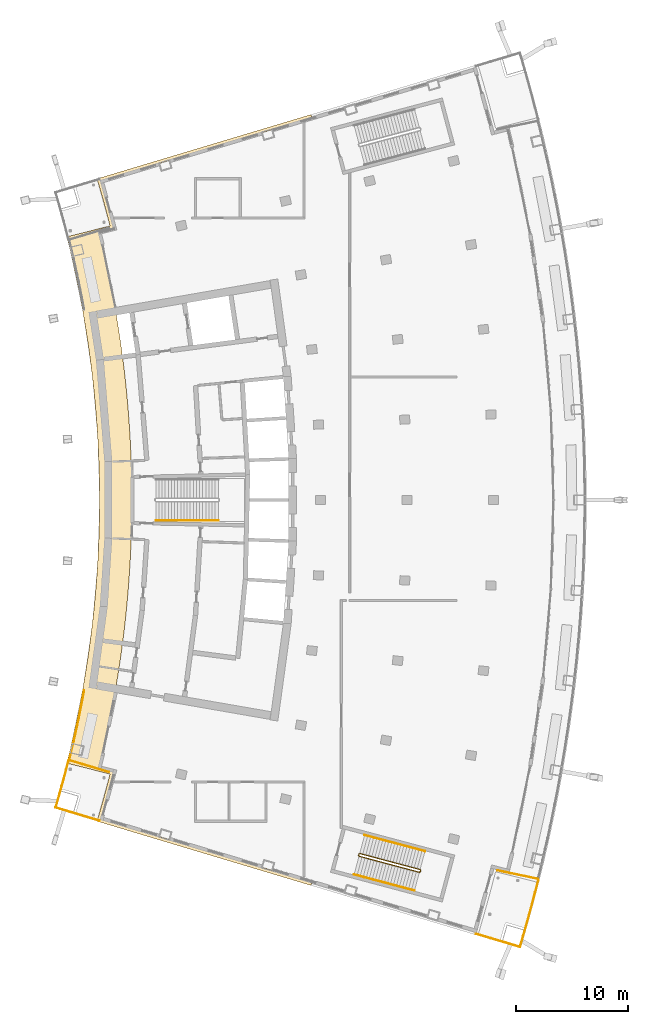
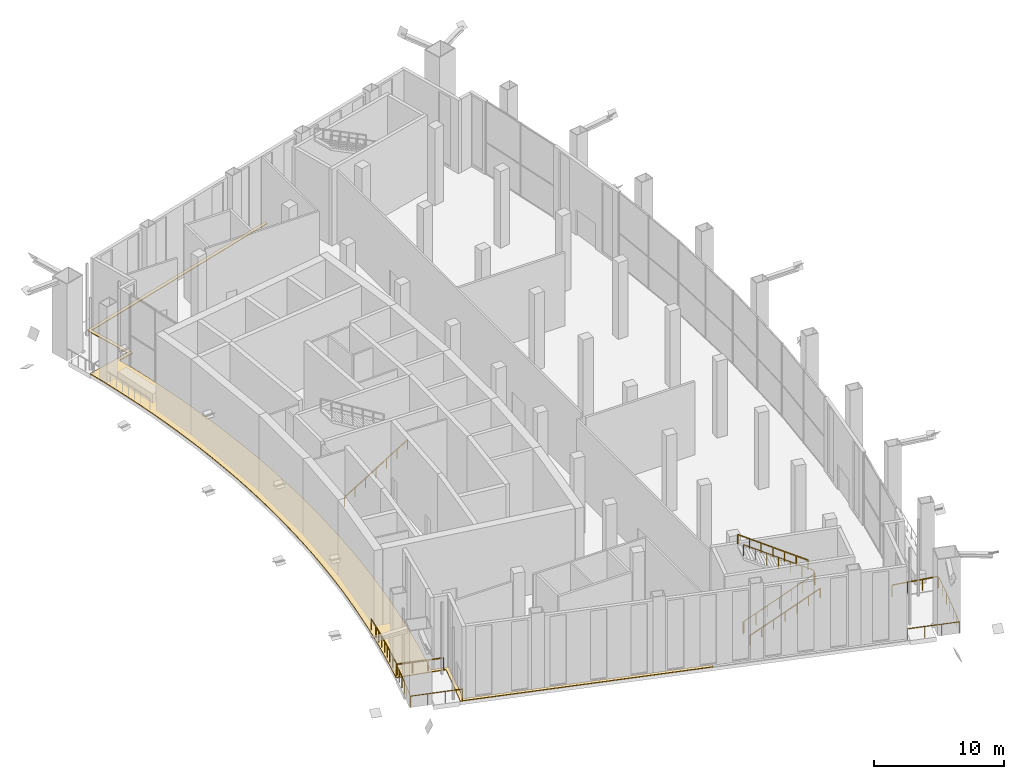
# One storey, part 22 of 26: 9 railings, 1 covering.
"""IFC4 building model written with IfcOpenShell, lengths in metres."""

from ifc_helpers import new_model, si_unit, direction, frame, origin, origin_with_axes, origin_2d, place, context, subcontext, project, spatial, polyline, rectangle, outline, extrude, material, layer, layer_set, type_object, element, save


model = new_model("IFC4")

# Units and contexts
model_context = context("Model", 3, precision=1e-05, world=origin(), true_north=direction((0.0, 1.0)))
body_context = subcontext(model_context, "Body", "Model", "MODEL_VIEW")
ifc_project = project(units=[si_unit("LENGTHUNIT", "METRE"), si_unit("AREAUNIT", "SQUARE_METRE"), si_unit("VOLUMEUNIT", "CUBIC_METRE"), si_unit("PLANEANGLEUNIT", "RADIAN"), si_unit("MASSUNIT", "GRAM", prefix="KILO")], contexts=[model_context])

# Site, building, storey
site_placement = place(None, origin())
site = spatial("IfcSite", under=ifc_project, at=site_placement, CompositionType="ELEMENT")
building_placement = place(site_placement, origin())
building = spatial("IfcBuilding", under=site, at=building_placement, Name="Alderwake Tower", CompositionType="ELEMENT")
storey_placement = place(building_placement, frame((0.0, 0.0, 182.0)))
storey = spatial("IfcBuildingStorey", under=building, at=storey_placement, Name="L45", CompositionType="ELEMENT", Elevation=182.0)

# Railings
ifc_material_1 = material(Name="Stainless steel 316 rail and posts", Category="steel")
railing_type_1 = type_object("IfcRailingType", Name="Balcony guard 1100", PredefinedType="GUARDRAIL", material=ifc_material_1)
railing_1_placement = place(storey_placement, frame((55.28369140625, 26.962646484375, 0.0)))
element("IfcRailing", 1, at=railing_1_placement, inside=storey, type_object=railing_type_1, Name="Guard terrace FS", PredefinedType="GUARDRAIL", context=body_context, shape_type="SweptSolid", body=[
    extrude(rectangle(XDim=0.048095703125, YDim=0.048095703125, at=origin_2d()), frame((0.0, 0.0, 1.076171875), z_axis=(-0.251754622407, -0.967791098376, 0.0), x_axis=(0.967791098376, -0.251754622407, 0.0)), (0.0, 0.0, 1.0), 2.234375),
    extrude(rectangle(XDim=0.048095703125, YDim=0.048095703125, at=origin_2d()), frame((-0.5625, -2.162353515625, 1.076171875), z_axis=(-0.266436611119, -0.963852443196, 0.0), x_axis=(0.963852443196, -0.266436611119, 0.0)), (0.0, 0.0, 1.0), 2.0341796875),
    extrude(rectangle(XDim=0.048095703125, YDim=0.048095703125, at=origin_2d()), frame((-1.1044921875, -4.123046875, 1.076171875), z_axis=(-0.280184159138, -0.95994626775, 0.0), x_axis=(0.95994626775, -0.280184159138, 0.0)), (0.0, 0.0, 1.0), 1.934326171875),
    extrude(rectangle(XDim=0.048095703125, YDim=0.048095703125, at=origin_2d()), frame((-1.646484375, -5.97998046875, 1.076171875), z_axis=(-0.957963839527, 0.286888971832, 0.0), x_axis=(-0.286888971832, -0.957963839527, 0.0)), (0.0, 0.0, 1.0), 4.10009765625),
    extrude(rectangle(XDim=0.0419921875, YDim=0.0419921875, at=origin_2d()), frame((0.0, 0.0, 0.0), z_axis=(0.0, 0.0, 1.0), x_axis=(-0.251754622407, -0.967791098376, 0.0)), (0.0, 0.0, 1.0), 1.052001953125),
    extrude(rectangle(XDim=0.0419921875, YDim=0.0419921875, at=origin_2d()), frame((-0.28125, -1.0810546875, 0.0), z_axis=(0.0, 0.0, 1.0), x_axis=(-0.251754622407, -0.967791098376, 0.0)), (0.0, 0.0, 1.0), 1.052001953125),
    extrude(rectangle(XDim=0.0419921875, YDim=0.0419921875, at=origin_2d()), frame((-0.5625, -2.162353515625, 0.0), z_axis=(0.0, 0.0, 1.0), x_axis=(-0.266436611119, -0.963852443196, 0.0)), (0.0, 0.0, 1.0), 1.052001953125),
    extrude(rectangle(XDim=0.0419921875, YDim=0.0419921875, at=origin_2d()), frame((-0.83349609375, -3.142578125, 0.0), z_axis=(0.0, 0.0, 1.0), x_axis=(-0.266436611119, -0.963852443196, 0.0)), (0.0, 0.0, 1.0), 1.052001953125),
    extrude(rectangle(XDim=0.0419921875, YDim=0.0419921875, at=origin_2d()), frame((-1.1044921875, -4.123046875, 0.0), z_axis=(0.0, 0.0, 1.0), x_axis=(-0.280184159138, -0.95994626775, 0.0)), (0.0, 0.0, 1.0), 1.052001953125),
    extrude(rectangle(XDim=0.0419921875, YDim=0.0419921875, at=origin_2d()), frame((-1.37548828125, -5.051513671875, 0.0), z_axis=(0.0, 0.0, 1.0), x_axis=(-0.280184159138, -0.95994626775, 0.0)), (0.0, 0.0, 1.0), 1.052001953125),
    extrude(rectangle(XDim=0.0419921875, YDim=0.0419921875, at=origin_2d()), frame((-1.646484375, -5.97998046875, 0.0), z_axis=(0.0, 0.0, 1.0), x_axis=(-0.957963839527, 0.286888971832, 0.0)), (0.0, 0.0, 1.0), 1.052001953125),
    extrude(rectangle(XDim=0.0419921875, YDim=0.0419921875, at=origin_2d()), frame((-2.955810546875, -5.587890625, 0.0), z_axis=(0.0, 0.0, 1.0), x_axis=(-0.957963839527, 0.286888971832, 0.0)), (0.0, 0.0, 1.0), 1.052001953125),
    extrude(rectangle(XDim=0.0419921875, YDim=0.0419921875, at=origin_2d()), frame((-4.264892578125, -5.19580078125, 0.0), z_axis=(0.0, 0.0, 1.0), x_axis=(-0.957963839527, 0.286888971832, 0.0)), (0.0, 0.0, 1.0), 1.052001953125),
    extrude(rectangle(XDim=0.0419921875, YDim=0.0419921875, at=origin_2d()), frame((-5.57421875, -4.8037109375, 0.0), z_axis=(0.0, 0.0, 1.0), x_axis=(-0.957963839527, 0.286888971832, 0.0)), (0.0, 0.0, 1.0), 1.052001953125),
])
railing_2_placement = place(storey_placement, frame((13.210693359375, 37.612548828125, 0.0)))
element("IfcRailing", 2, at=railing_2_placement, inside=storey, type_object=railing_type_1, Name="Guard terrace RS", PredefinedType="GUARDRAIL", context=body_context, shape_type="SweptSolid", body=[
    extrude(rectangle(XDim=0.048095703125, YDim=0.048095703125, at=origin_2d()), frame((0.0, 0.0, 1.076171875), z_axis=(-0.251385381433, -0.967887075026, 0.0), x_axis=(0.967887075026, -0.251385381433, 0.0)), (0.0, 0.0, 1.0), 1.6015625),
    extrude(rectangle(XDim=0.048095703125, YDim=0.048095703125, at=origin_2d()), frame((-0.402587890625, -1.550048828125, 1.076171875), z_axis=(-0.266520638672, -0.963829211615, 0.0), x_axis=(0.963829211615, -0.266520638672, 0.0)), (0.0, 0.0, 1.0), 1.401611328125),
    extrude(rectangle(XDim=0.048095703125, YDim=0.048095703125, at=origin_2d()), frame((-0.776123046875, -2.90087890625, 1.076171875), z_axis=(-0.280093650878, -0.959972680204, 0.0), x_axis=(0.959972680204, -0.280093650878, 0.0)), (0.0, 0.0, 1.0), 1.30126953125),
    extrude(rectangle(XDim=0.048095703125, YDim=0.048095703125, at=origin_2d()), frame((-1.140625, -4.150146484375, 1.076171875), z_axis=(0.958066871889, -0.286544706789, 0.0), x_axis=(0.286544706789, 0.958066871889, 0.0)), (0.0, 0.0, 1.0), 4.099853515625),
    extrude(rectangle(XDim=0.0419921875, YDim=0.0419921875, at=origin_2d()), frame((0.0, 0.0, 0.0), z_axis=(0.0, 0.0, 1.0), x_axis=(-0.251385381433, -0.967887075026, 0.0)), (0.0, 0.0, 1.0), 1.052001953125),
    extrude(rectangle(XDim=0.0419921875, YDim=0.0419921875, at=origin_2d()), frame((-0.201171875, -0.77490234375, 0.0), z_axis=(0.0, 0.0, 1.0), x_axis=(-0.251385381433, -0.967887075026, 0.0)), (0.0, 0.0, 1.0), 1.052001953125),
    extrude(rectangle(XDim=0.0419921875, YDim=0.0419921875, at=origin_2d()), frame((-0.402587890625, -1.550048828125, 0.0), z_axis=(0.0, 0.0, 1.0), x_axis=(-0.266520638672, -0.963829211615, 0.0)), (0.0, 0.0, 1.0), 1.052001953125),
    extrude(rectangle(XDim=0.0419921875, YDim=0.0419921875, at=origin_2d()), frame((-0.58935546875, -2.2255859375, 0.0), z_axis=(0.0, 0.0, 1.0), x_axis=(-0.266520638672, -0.963829211615, 0.0)), (0.0, 0.0, 1.0), 1.052001953125),
    extrude(rectangle(XDim=0.0419921875, YDim=0.0419921875, at=origin_2d()), frame((-0.776123046875, -2.90087890625, 0.0), z_axis=(0.0, 0.0, 1.0), x_axis=(-0.280093650878, -0.959972680204, 0.0)), (0.0, 0.0, 1.0), 1.052001953125),
    extrude(rectangle(XDim=0.0419921875, YDim=0.0419921875, at=origin_2d()), frame((-1.140625, -4.150146484375, 0.0), z_axis=(0.0, 0.0, 1.0), x_axis=(0.958066871889, -0.286544706789, 0.0)), (0.0, 0.0, 1.0), 1.052001953125),
    extrude(rectangle(XDim=0.0419921875, YDim=0.0419921875, at=origin_2d()), frame((0.168701171875, -4.541748046875, 0.0), z_axis=(0.0, 0.0, 1.0), x_axis=(0.958066871889, -0.286544706789, 0.0)), (0.0, 0.0, 1.0), 1.052001953125),
    extrude(rectangle(XDim=0.0419921875, YDim=0.0419921875, at=origin_2d()), frame((1.47802734375, -4.933349609375, 0.0), z_axis=(0.0, 0.0, 1.0), x_axis=(0.958066871889, -0.286544706789, 0.0)), (0.0, 0.0, 1.0), 1.052001953125),
    extrude(rectangle(XDim=0.0419921875, YDim=0.0419921875, at=origin_2d()), frame((2.787353515625, -5.324951171875, 0.0), z_axis=(0.0, 0.0, 1.0), x_axis=(0.958066871889, -0.286544706789, 0.0)), (0.0, 0.0, 1.0), 1.052001953125),
])
railing_3_placement = place(storey_placement, frame((55.259765625, 27.072021484375, 0.0)))
element("IfcRailing", 3, at=railing_3_placement, inside=storey, type_object=railing_type_1, Name="Guard garden terrace front end", PredefinedType="GUARDRAIL", context=body_context, shape_type="SweptSolid", body=[
    extrude(rectangle(XDim=0.048095703125, YDim=0.048095703125, at=origin_2d()), frame((0.0, 0.0, 1.076171875), z_axis=(-0.978571465615, 0.205907471171, 0.0), x_axis=(-0.205907471171, -0.978571465615, 0.0)), (0.0, 0.0, 1.0), 3.702880859375),
    extrude(rectangle(XDim=0.0419921875, YDim=0.0419921875, at=origin_2d()), frame((0.0, 0.0, 0.0), z_axis=(0.0, 0.0, 1.0), x_axis=(-0.978571465615, 0.205907471171, 0.0)), (0.0, 0.0, 1.0), 1.052001953125),
    extrude(rectangle(XDim=0.0419921875, YDim=0.0419921875, at=origin_2d()), frame((-1.207763671875, 0.254150390625, 0.0), z_axis=(0.0, 0.0, 1.0), x_axis=(-0.978571465615, 0.205907471171, 0.0)), (0.0, 0.0, 1.0), 1.052001953125),
    extrude(rectangle(XDim=0.0419921875, YDim=0.0419921875, at=origin_2d()), frame((-2.415771484375, 0.50830078125, 0.0), z_axis=(0.0, 0.0, 1.0), x_axis=(-0.978571465615, 0.205907471171, 0.0)), (0.0, 0.0, 1.0), 1.052001953125),
    extrude(rectangle(XDim=0.0419921875, YDim=0.0419921875, at=origin_2d()), frame((-3.62353515625, 0.762451171875, 0.0), z_axis=(0.0, 0.0, 1.0), x_axis=(-0.978571465615, 0.205907471171, 0.0)), (0.0, 0.0, 1.0), 1.052001953125),
])
railing_4_placement = place(storey_placement, frame((13.283447265625, 37.697265625, 0.0)))
element("IfcRailing", 4, at=railing_4_placement, inside=storey, type_object=railing_type_1, Name="Guard garden terrace rear", PredefinedType="GUARDRAIL", context=body_context, shape_type="SweptSolid", body=[
    extrude(rectangle(XDim=0.048095703125, YDim=0.048095703125, at=origin_2d()), frame((0.0, 0.0, 1.076171875), z_axis=(0.23679809516, 0.971558882481, 0.0), x_axis=(-0.971558882481, 0.23679809516, 0.0)), (0.0, 0.0, 1.0), 1.10205078125),
    extrude(rectangle(XDim=0.048095703125, YDim=0.048095703125, at=origin_2d()), frame((0.260986328125, 1.07080078125, 1.076171875), z_axis=(0.224096426432, 0.974566976488, 0.0), x_axis=(-0.974566976488, 0.224096426432, 0.0)), (0.0, 0.0, 1.0), 1.402099609375),
    extrude(rectangle(XDim=0.048095703125, YDim=0.048095703125, at=origin_2d()), frame((0.5751953125, 2.437255859375, 1.076171875), z_axis=(0.209957084556, 0.977710602707, 0.0), x_axis=(-0.977710602707, 0.209957084556, 0.0)), (0.0, 0.0, 1.0), 1.40234375),
    extrude(rectangle(XDim=0.048095703125, YDim=0.048095703125, at=origin_2d()), frame((0.86962890625, 3.808349609375, 1.076171875), z_axis=(0.1955468343, 0.980694364007, 0.0), x_axis=(-0.980694364007, 0.1955468343, 0.0)), (0.0, 0.0, 1.0), 1.402099609375),
    extrude(rectangle(XDim=0.048095703125, YDim=0.048095703125, at=origin_2d()), frame((1.143798828125, 5.183349609375, 1.076171875), z_axis=(0.182977626426, 0.983117077579, 0.0), x_axis=(-0.983117077579, 0.182977626426, 0.0)), (0.0, 0.0, 1.0), 1.10205078125),
    extrude(rectangle(XDim=0.0419921875, YDim=0.0419921875, at=origin_2d()), frame((0.0, 0.0, 0.0), z_axis=(0.0, 0.0, 1.0), x_axis=(0.23679809516, 0.971558882481, 0.0)), (0.0, 0.0, 1.0), 1.052001953125),
    extrude(rectangle(XDim=0.0419921875, YDim=0.0419921875, at=origin_2d()), frame((0.260986328125, 1.07080078125, 0.0), z_axis=(0.0, 0.0, 1.0), x_axis=(0.224096426432, 0.974566976488, 0.0)), (0.0, 0.0, 1.0), 1.052001953125),
    extrude(rectangle(XDim=0.0419921875, YDim=0.0419921875, at=origin_2d()), frame((0.41796875, 1.75390625, 0.0), z_axis=(0.0, 0.0, 1.0), x_axis=(0.224096426432, 0.974566976488, 0.0)), (0.0, 0.0, 1.0), 1.052001953125),
    extrude(rectangle(XDim=0.0419921875, YDim=0.0419921875, at=origin_2d()), frame((0.5751953125, 2.437255859375, 0.0), z_axis=(0.0, 0.0, 1.0), x_axis=(0.209957084556, 0.977710602707, 0.0)), (0.0, 0.0, 1.0), 1.052001953125),
    extrude(rectangle(XDim=0.0419921875, YDim=0.0419921875, at=origin_2d()), frame((0.722412109375, 3.122802734375, 0.0), z_axis=(0.0, 0.0, 1.0), x_axis=(0.209957084556, 0.977710602707, 0.0)), (0.0, 0.0, 1.0), 1.052001953125),
    extrude(rectangle(XDim=0.0419921875, YDim=0.0419921875, at=origin_2d()), frame((0.86962890625, 3.808349609375, 0.0), z_axis=(0.0, 0.0, 1.0), x_axis=(0.1955468343, 0.980694364007, 0.0)), (0.0, 0.0, 1.0), 1.052001953125),
    extrude(rectangle(XDim=0.0419921875, YDim=0.0419921875, at=origin_2d()), frame((1.0068359375, 4.495849609375, 0.0), z_axis=(0.0, 0.0, 1.0), x_axis=(0.1955468343, 0.980694364007, 0.0)), (0.0, 0.0, 1.0), 1.052001953125),
    extrude(rectangle(XDim=0.0419921875, YDim=0.0419921875, at=origin_2d()), frame((1.143798828125, 5.183349609375, 0.0), z_axis=(0.0, 0.0, 1.0), x_axis=(0.182977626426, 0.983117077579, 0.0)), (0.0, 0.0, 1.0), 1.052001953125),
    extrude(rectangle(XDim=0.0419921875, YDim=0.0419921875, at=origin_2d()), frame((1.345458984375, 6.266845703125, 0.0), z_axis=(0.0, 0.0, 1.0), x_axis=(0.182977626426, 0.983117077579, 0.0)), (0.0, 0.0, 1.0), 1.052001953125),
])
railing_5_placement = place(storey_placement, frame((13.283447265625, 37.697265625, 0.0)))
element("IfcRailing", 5, at=railing_5_placement, inside=storey, type_object=railing_type_1, Name="Guard garden terrace rear end", PredefinedType="GUARDRAIL", context=body_context, shape_type="SweptSolid", body=[
    extrude(rectangle(XDim=0.048095703125, YDim=0.048095703125, at=origin_2d()), frame((0.0, 0.0, 1.076171875), z_axis=(0.958690974733, -0.284449670355, 0.0), x_axis=(0.284449670355, 0.958690974733, 0.0)), (0.0, 0.0, 1.0), 3.70361328125),
    extrude(rectangle(XDim=0.0419921875, YDim=0.0419921875, at=origin_2d()), frame((0.0, 0.0, 0.0), z_axis=(0.0, 0.0, 1.0), x_axis=(0.958690974733, -0.284449670355, 0.0)), (0.0, 0.0, 1.0), 1.052001953125),
    extrude(rectangle(XDim=0.0419921875, YDim=0.0419921875, at=origin_2d()), frame((1.18359375, -0.35107421875, 0.0), z_axis=(0.0, 0.0, 1.0), x_axis=(0.958690974733, -0.284449670355, 0.0)), (0.0, 0.0, 1.0), 1.052001953125),
    extrude(rectangle(XDim=0.0419921875, YDim=0.0419921875, at=origin_2d()), frame((2.366943359375, -0.702392578125, 0.0), z_axis=(0.0, 0.0, 1.0), x_axis=(0.958690974733, -0.284449670355, 0.0)), (0.0, 0.0, 1.0), 1.052001953125),
    extrude(rectangle(XDim=0.0419921875, YDim=0.0419921875, at=origin_2d()), frame((3.550537109375, -1.053466796875, 0.0), z_axis=(0.0, 0.0, 1.0), x_axis=(0.958690974733, -0.284449670355, 0.0)), (0.0, 0.0, 1.0), 1.052001953125),
])

# Covering
ifc_material_2 = material(Name="Bronze-grey porcelain paving on pedestals")
ifc_layer = layer(ifc_material_2, 0.06005859375)
ifc_layer_set = layer_set([ifc_layer], Name="Garden terrace paving 60")
covering_type = type_object("IfcCoveringType", Name="Garden terrace paving 60", PredefinedType="FLOORING", material=ifc_layer_set)
covering_placement = place(storey_placement, origin())
element("IfcCovering", 6, at=covering_placement, inside=storey, type_object=covering_type, Name="Garden terrace paving rear", PredefinedType="FLOORING", context=body_context, shape_type="SweptSolid", body=[
    extrude(outline(polyline([(14.53369140625, 44.28564453125), (14.280029296875, 42.90869140625), (14.006103515625, 41.535888671875), (13.71240234375, 40.1669921875), (13.3984375, 38.802734375), (13.06494140625, 37.443115234375), (16.942626953125, 36.46142578125), (16.574462890625, 35.05029296875), (16.185791015625, 33.64501953125), (15.776611328125, 32.2451171875), (34.931884765625, 26.494140625), (35.01611328125, 26.781982421875), (16.148193359375, 32.44677734375), (16.474365234375, 33.562744140625), (16.8642578125, 34.97265625), (17.30908203125, 36.67822265625), (15.94775390625, 37.022705078125), (16.219970703125, 38.132080078125), (16.543212890625, 39.537841796875), (16.845947265625, 40.947998046875), (17.1279296875, 42.3623046875), (17.389404296875, 43.78076171875), (17.630126953125, 45.20263671875), (17.85009765625, 46.628173828125), (18.04931640625, 48.056640625), (18.227783203125, 49.48779296875), (18.385009765625, 50.92138671875), (18.521484375, 52.357421875), (18.63720703125, 53.794921875), (18.731689453125, 55.234130859375), (18.805419921875, 56.674560546875), (18.85791015625, 58.11572265625), (18.889404296875, 59.557861328125), (18.89990234375, 61.0), (18.889404296875, 62.442138671875), (18.85791015625, 63.88427734375), (18.805419921875, 65.325439453125), (18.731689453125, 66.765869140625), (18.63720703125, 68.205078125), (18.521484375, 69.642578125), (18.385009765625, 71.07861328125), (18.227783203125, 72.51220703125), (18.04931640625, 73.943359375), (17.85009765625, 75.371826171875), (17.630126953125, 76.79736328125), (17.389404296875, 78.21923828125), (17.1279296875, 79.6376953125), (16.845947265625, 81.052001953125), (16.543212890625, 82.462158203125), (16.219970703125, 83.867919921875), (15.94775390625, 84.977294921875), (17.30908203125, 85.32177734375), (16.8642578125, 87.02734375), (16.474365234375, 88.437255859375), (16.148193359375, 89.55322265625), (35.01611328125, 95.218017578125), (34.931884765625, 95.505859375), (15.776611328125, 89.7548828125), (16.185791015625, 88.35498046875), (16.574462890625, 86.94970703125), (16.942626953125, 85.53857421875), (13.06494140625, 84.556884765625), (13.3984375, 83.197265625), (13.71240234375, 81.8330078125), (14.006103515625, 80.464111328125), (14.280029296875, 79.09130859375), (14.53369140625, 77.71435546875), (14.767333984375, 76.333984375), (14.98095703125, 74.950439453125), (15.17431640625, 73.56396484375), (15.347412109375, 72.174560546875), (15.500244140625, 70.782958984375), (15.6328125, 69.389404296875), (15.744873046875, 67.993896484375), (15.836669921875, 66.5966796875), (15.908203125, 65.19873046875), (15.959228515625, 63.799560546875), (15.98974609375, 62.39990234375), (16.0, 61.0), (15.98974609375, 59.60009765625), (15.959228515625, 58.200439453125), (15.908203125, 56.80126953125), (15.836669921875, 55.4033203125), (15.744873046875, 54.006103515625), (15.6328125, 52.610595703125), (15.500244140625, 51.217041015625), (15.347412109375, 49.825439453125), (15.17431640625, 48.43603515625), (14.98095703125, 47.049560546875), (14.767333984375, 45.666015625), (14.53369140625, 44.28564453125)])), origin(), (0.0, 0.0, 1.0), 0.06005859375),
])

# Railings
ifc_material_3 = material(Name="Stainless steel guard", Category="steel")
railing_type_2 = type_object("IfcRailingType", Name="Stair guard 1100", PredefinedType="GUARDRAIL", material=ifc_material_3)
railing_6_placement = place(storey_placement, frame((39.1943359375, 29.17431640625, 0.0)))
element("IfcRailing", 7, at=railing_6_placement, inside=storey, type_object=railing_type_2, Name="L45 ST-C stair guard 1", PredefinedType="GUARDRAIL", context=body_context, shape_type="SweptSolid", body=[
    extrude(rectangle(XDim=0.048095703125, YDim=0.048095703125, at=origin_2d()), frame((0.0, 0.0, 1.076171875), z_axis=(0.257459803502, 0.966289009345, 0.0), x_axis=(-0.966289009345, 0.257459803502, 0.0)), (0.0, 0.0, 1.0), 0.14990234375),
    extrude(rectangle(XDim=0.048095703125, YDim=0.048095703125, at=origin_2d()), frame((0.03857421875, 0.144775390625, 1.076171875), z_axis=(-0.01184115736, -0.768764370126, 0.639422497427), x_axis=(0.999881397308, -0.015401016783, 0.0)), (0.0, 0.0, 1.0), 0.26806640625),
    extrude(rectangle(XDim=0.048095703125, YDim=0.048095703125, at=origin_2d()), frame((0.035400390625, -0.061279296875, 1.24755859375), z_axis=(0.824109601868, -0.219514689349, 0.522165361996), x_axis=(0.257391295463, 0.966307260151, 0.0)), (0.0, 0.0, 1.0), 6.56640625),
    extrude(rectangle(XDim=0.048095703125, YDim=0.048095703125, at=origin_2d()), frame((5.44677734375, -1.502685546875, 4.67626953125), z_axis=(0.864402767194, 0.502800015978, 0.0), x_axis=(-0.502800015978, 0.864402767194, 0.0)), (0.0, 0.0, 1.0), 0.07080078125),
    extrude(rectangle(XDim=0.048095703125, YDim=0.048095703125, at=origin_2d()), frame((5.508056640625, -1.467041015625, 4.67626953125), z_axis=(0.257459803502, 0.966289009345, 0.0), x_axis=(-0.966289009345, 0.257459803502, 0.0)), (0.0, 0.0, 1.0), 0.14990234375),
    extrude(rectangle(XDim=0.048095703125, YDim=0.048095703125, at=origin_2d()), frame((5.546630859375, -1.322265625, 4.67626953125), z_axis=(-0.190916771936, 0.330483515558, 0.924300509649), x_axis=(-0.865898279276, -0.500220121494, 0.0)), (0.0, 0.0, 1.0), 0.185302734375),
    extrude(rectangle(XDim=0.048095703125, YDim=0.048095703125, at=origin_2d()), frame((5.51123046875, -1.260986328125, 4.84765625), z_axis=(-0.824125601407, 0.219518951081, 0.522138318094), x_axis=(-0.257391295463, -0.966307260151, 0.0)), (0.0, 0.0, 1.0), 6.566162109375),
    extrude(rectangle(XDim=0.0419921875, YDim=0.0419921875, at=origin_2d()), frame((0.0, 0.0, 0.0), z_axis=(0.0, 0.0, 1.0), x_axis=(0.257459803502, 0.966289009345, 0.0)), (0.0, 0.0, 1.0), 1.052001953125),
    extrude(rectangle(XDim=0.0419921875, YDim=0.0419921875, at=origin_2d()), frame((0.03857421875, 0.144775390625, 0.0), z_axis=(0.0, 0.0, 1.0), x_axis=(-0.015401016783, -0.999881397308, 0.0)), (0.0, 0.0, 1.0), 1.052001953125),
    extrude(rectangle(XDim=0.0419921875, YDim=0.0419921875, at=origin_2d()), frame((0.035400390625, -0.061279296875, 0.17138671875), z_axis=(0.0, 0.0, 1.0), x_axis=(0.966307260151, -0.257391295463, 0.0)), (0.0, 0.0, 1.0), 1.052001953125),
    extrude(rectangle(XDim=0.0419921875, YDim=0.0419921875, at=origin_2d()), frame((0.937255859375, -0.301513671875, 0.742919921875), z_axis=(0.0, 0.0, 1.0), x_axis=(0.966307260151, -0.257391295463, 0.0)), (0.0, 0.0, 1.0), 1.052001953125),
    extrude(rectangle(XDim=0.0419921875, YDim=0.0419921875, at=origin_2d()), frame((1.839111328125, -0.541748046875, 1.314208984375), z_axis=(0.0, 0.0, 1.0), x_axis=(0.966307260151, -0.257391295463, 0.0)), (0.0, 0.0, 1.0), 1.052001953125),
    extrude(rectangle(XDim=0.0419921875, YDim=0.0419921875, at=origin_2d()), frame((2.7412109375, -0.781982421875, 1.8857421875), z_axis=(0.0, 0.0, 1.0), x_axis=(0.966307260151, -0.257391295463, 0.0)), (0.0, 0.0, 1.0), 1.052001953125),
    extrude(rectangle(XDim=0.0419921875, YDim=0.0419921875, at=origin_2d()), frame((3.64306640625, -1.022216796875, 2.457275390625), z_axis=(0.0, 0.0, 1.0), x_axis=(0.966307260151, -0.257391295463, 0.0)), (0.0, 0.0, 1.0), 1.052001953125),
    extrude(rectangle(XDim=0.0419921875, YDim=0.0419921875, at=origin_2d()), frame((4.544921875, -1.262451171875, 3.028564453125), z_axis=(0.0, 0.0, 1.0), x_axis=(0.966307260151, -0.257391295463, 0.0)), (0.0, 0.0, 1.0), 1.052001953125),
    extrude(rectangle(XDim=0.0419921875, YDim=0.0419921875, at=origin_2d()), frame((5.44677734375, -1.502685546875, 3.60009765625), z_axis=(0.0, 0.0, 1.0), x_axis=(0.864402767194, 0.502800015978, 0.0)), (0.0, 0.0, 1.0), 1.052001953125),
    extrude(rectangle(XDim=0.0419921875, YDim=0.0419921875, at=origin_2d()), frame((5.508056640625, -1.467041015625, 3.60009765625), z_axis=(0.0, 0.0, 1.0), x_axis=(0.257459803502, 0.966289009345, 0.0)), (0.0, 0.0, 1.0), 1.052001953125),
    extrude(rectangle(XDim=0.0419921875, YDim=0.0419921875, at=origin_2d()), frame((5.546630859375, -1.322265625, 3.60009765625), z_axis=(0.0, 0.0, 1.0), x_axis=(-0.500220121494, 0.865898279276, 0.0)), (0.0, 0.0, 1.0), 1.052001953125),
    extrude(rectangle(XDim=0.0419921875, YDim=0.0419921875, at=origin_2d()), frame((5.51123046875, -1.260986328125, 3.771484375), z_axis=(0.0, 0.0, 1.0), x_axis=(-0.966307260151, 0.257391295463, 0.0)), (0.0, 0.0, 1.0), 1.052001953125),
    extrude(rectangle(XDim=0.0419921875, YDim=0.0419921875, at=origin_2d()), frame((4.609375, -1.020751953125, 4.3427734375), z_axis=(0.0, 0.0, 1.0), x_axis=(-0.966307260151, 0.257391295463, 0.0)), (0.0, 0.0, 1.0), 1.052001953125),
    extrude(rectangle(XDim=0.0419921875, YDim=0.0419921875, at=origin_2d()), frame((3.70751953125, -0.780517578125, 4.914306640625), z_axis=(0.0, 0.0, 1.0), x_axis=(-0.966307260151, 0.257391295463, 0.0)), (0.0, 0.0, 1.0), 1.052001953125),
    extrude(rectangle(XDim=0.0419921875, YDim=0.0419921875, at=origin_2d()), frame((2.8056640625, -0.540283203125, 5.48583984375), z_axis=(0.0, 0.0, 1.0), x_axis=(-0.966307260151, 0.257391295463, 0.0)), (0.0, 0.0, 1.0), 1.052001953125),
    extrude(rectangle(XDim=0.0419921875, YDim=0.0419921875, at=origin_2d()), frame((1.903564453125, -0.300048828125, 6.05712890625), z_axis=(0.0, 0.0, 1.0), x_axis=(-0.966307260151, 0.257391295463, 0.0)), (0.0, 0.0, 1.0), 1.052001953125),
    extrude(rectangle(XDim=0.0419921875, YDim=0.0419921875, at=origin_2d()), frame((1.001708984375, -0.059814453125, 6.62841796875), z_axis=(0.0, 0.0, 1.0), x_axis=(-0.966307260151, 0.257391295463, 0.0)), (0.0, 0.0, 1.0), 1.052001953125),
    extrude(rectangle(XDim=0.0419921875, YDim=0.0419921875, at=origin_2d()), frame((0.099853515625, 0.180419921875, 7.199951171875), z_axis=(0.0, 0.0, 1.0), x_axis=(-0.966307260151, 0.257391295463, 0.0)), (0.0, 0.0, 1.0), 1.052001953125),
])
ifc_material_4 = material(Name="Stainless steel handrail", Category="steel")
railing_type_3 = type_object("IfcRailingType", Name="Stair handrail 900", PredefinedType="HANDRAIL", material=ifc_material_4)
railing_7_placement = place(storey_placement, frame((21.0400390625, 59.175048828125, 0.17138671875)))
element("IfcRailing", 8, at=railing_7_placement, inside=storey, type_object=railing_type_3, Name="L45 ST-B stair handrail 1", PredefinedType="HANDRAIL", context=body_context, shape_type="SweptSolid", body=[
    extrude(rectangle(XDim=0.048095703125, YDim=0.048095703125, at=origin_2d()), frame((0.0, 0.0, 0.8759765625), z_axis=(0.852835759714, 0.0, 0.522179247915), x_axis=(0.0, 1.0, 0.0)), (0.0, 0.0, 1.0), 6.566162109375),
    extrude(rectangle(XDim=0.0419921875, YDim=0.0419921875, at=origin_2d()), origin_with_axes(), (0.0, 0.0, 1.0), 0.851806640625),
    extrude(rectangle(XDim=0.0419921875, YDim=0.0419921875, at=origin_2d()), frame((0.933349609375, 0.0, 0.571533203125), z_axis=(0.0, 0.0, 1.0), x_axis=(1.0, 0.0, 0.0)), (0.0, 0.0, 1.0), 0.851806640625),
    extrude(rectangle(XDim=0.0419921875, YDim=0.0419921875, at=origin_2d()), frame((1.86669921875, 0.0, 1.142822265625), z_axis=(0.0, 0.0, 1.0), x_axis=(1.0, 0.0, 0.0)), (0.0, 0.0, 1.0), 0.851806640625),
    extrude(rectangle(XDim=0.0419921875, YDim=0.0419921875, at=origin_2d()), frame((2.7998046875, 0.0, 1.71435546875), z_axis=(0.0, 0.0, 1.0), x_axis=(1.0, 0.0, 0.0)), (0.0, 0.0, 1.0), 0.851806640625),
    extrude(rectangle(XDim=0.0419921875, YDim=0.0419921875, at=origin_2d()), frame((3.733154296875, 0.0, 2.285888671875), z_axis=(0.0, 0.0, 1.0), x_axis=(1.0, 0.0, 0.0)), (0.0, 0.0, 1.0), 0.851806640625),
    extrude(rectangle(XDim=0.0419921875, YDim=0.0419921875, at=origin_2d()), frame((4.66650390625, 0.0, 2.857177734375), z_axis=(0.0, 0.0, 1.0), x_axis=(1.0, 0.0, 0.0)), (0.0, 0.0, 1.0), 0.851806640625),
    extrude(rectangle(XDim=0.0419921875, YDim=0.0419921875, at=origin_2d()), frame((5.599853515625, 0.0, 3.4287109375), z_axis=(0.0, 0.0, 1.0), x_axis=(1.0, 0.0, 0.0)), (0.0, 0.0, 1.0), 0.851806640625),
])
railing_8_placement = place(storey_placement, frame((38.792236328125, 27.47021484375, 0.17138671875)))
element("IfcRailing", 9, at=railing_8_placement, inside=storey, type_object=railing_type_3, Name="L45 ST-C stair handrail 1", PredefinedType="HANDRAIL", context=body_context, shape_type="SweptSolid", body=[
    extrude(rectangle(XDim=0.048095703125, YDim=0.048095703125, at=origin_2d()), frame((0.0, 0.0, 0.8759765625), z_axis=(0.824116327519, -0.219479299858, 0.522169623446), x_axis=(0.257350586944, 0.966318102593, 0.0)), (0.0, 0.0, 1.0), 6.566162109375),
    extrude(rectangle(XDim=0.0419921875, YDim=0.0419921875, at=origin_2d()), frame((0.0, 0.0, 0.0), z_axis=(0.0, 0.0, 1.0), x_axis=(0.966318102593, -0.257350586944, 0.0)), (0.0, 0.0, 1.0), 0.851806640625),
    extrude(rectangle(XDim=0.0419921875, YDim=0.0419921875, at=origin_2d()), frame((0.90185546875, -0.240234375, 0.571533203125), z_axis=(0.0, 0.0, 1.0), x_axis=(0.966318102593, -0.257350586944, 0.0)), (0.0, 0.0, 1.0), 0.851806640625),
    extrude(rectangle(XDim=0.0419921875, YDim=0.0419921875, at=origin_2d()), frame((1.8037109375, -0.48046875, 1.142822265625), z_axis=(0.0, 0.0, 1.0), x_axis=(0.966318102593, -0.257350586944, 0.0)), (0.0, 0.0, 1.0), 0.851806640625),
    extrude(rectangle(XDim=0.0419921875, YDim=0.0419921875, at=origin_2d()), frame((2.70556640625, -0.720703125, 1.71435546875), z_axis=(0.0, 0.0, 1.0), x_axis=(0.966318102593, -0.257350586944, 0.0)), (0.0, 0.0, 1.0), 0.851806640625),
    extrude(rectangle(XDim=0.0419921875, YDim=0.0419921875, at=origin_2d()), frame((3.607666015625, -0.960693359375, 2.285888671875), z_axis=(0.0, 0.0, 1.0), x_axis=(0.966318102593, -0.257350586944, 0.0)), (0.0, 0.0, 1.0), 0.851806640625),
    extrude(rectangle(XDim=0.0419921875, YDim=0.0419921875, at=origin_2d()), frame((4.509521484375, -1.200927734375, 2.857177734375), z_axis=(0.0, 0.0, 1.0), x_axis=(0.966318102593, -0.257350586944, 0.0)), (0.0, 0.0, 1.0), 0.851806640625),
    extrude(rectangle(XDim=0.0419921875, YDim=0.0419921875, at=origin_2d()), frame((5.411376953125, -1.441162109375, 3.4287109375), z_axis=(0.0, 0.0, 1.0), x_axis=(0.966318102593, -0.257350586944, 0.0)), (0.0, 0.0, 1.0), 0.851806640625),
])
railing_9_placement = place(storey_placement, frame((45.14306640625, 29.555908203125, 3.771484375)))
element("IfcRailing", 10, at=railing_9_placement, inside=storey, type_object=railing_type_3, Name="L45 ST-C stair handrail 2", PredefinedType="HANDRAIL", context=body_context, shape_type="SweptSolid", body=[
    extrude(rectangle(XDim=0.048095703125, YDim=0.048095703125, at=origin_2d()), frame((0.0, 0.0, 0.8759765625), z_axis=(-0.824125601407, 0.219518951081, 0.522138318094), x_axis=(-0.257391295463, -0.966307260151, 0.0)), (0.0, 0.0, 1.0), 6.566162109375),
    extrude(rectangle(XDim=0.0419921875, YDim=0.0419921875, at=origin_2d()), frame((0.0, 0.0, 0.0), z_axis=(0.0, 0.0, 1.0), x_axis=(-0.966307260151, 0.257391295463, 0.0)), (0.0, 0.0, 1.0), 0.851806640625),
    extrude(rectangle(XDim=0.0419921875, YDim=0.0419921875, at=origin_2d()), frame((-0.90185546875, 0.240234375, 0.5712890625), z_axis=(0.0, 0.0, 1.0), x_axis=(-0.966307260151, 0.257391295463, 0.0)), (0.0, 0.0, 1.0), 0.851806640625),
    extrude(rectangle(XDim=0.0419921875, YDim=0.0419921875, at=origin_2d()), frame((-1.8037109375, 0.48046875, 1.142822265625), z_axis=(0.0, 0.0, 1.0), x_axis=(-0.966307260151, 0.257391295463, 0.0)), (0.0, 0.0, 1.0), 0.851806640625),
    extrude(rectangle(XDim=0.0419921875, YDim=0.0419921875, at=origin_2d()), frame((-2.70556640625, 0.720703125, 1.71435546875), z_axis=(0.0, 0.0, 1.0), x_axis=(-0.966307260151, 0.257391295463, 0.0)), (0.0, 0.0, 1.0), 0.851806640625),
    extrude(rectangle(XDim=0.0419921875, YDim=0.0419921875, at=origin_2d()), frame((-3.607666015625, 0.9609375, 2.28564453125), z_axis=(0.0, 0.0, 1.0), x_axis=(-0.966307260151, 0.257391295463, 0.0)), (0.0, 0.0, 1.0), 0.851806640625),
    extrude(rectangle(XDim=0.0419921875, YDim=0.0419921875, at=origin_2d()), frame((-4.509521484375, 1.201171875, 2.85693359375), z_axis=(0.0, 0.0, 1.0), x_axis=(-0.966307260151, 0.257391295463, 0.0)), (0.0, 0.0, 1.0), 0.851806640625),
    extrude(rectangle(XDim=0.0419921875, YDim=0.0419921875, at=origin_2d()), frame((-5.411376953125, 1.44140625, 3.428466796875), z_axis=(0.0, 0.0, 1.0), x_axis=(-0.966307260151, 0.257391295463, 0.0)), (0.0, 0.0, 1.0), 0.851806640625),
])

save(model, "model.ifc")
